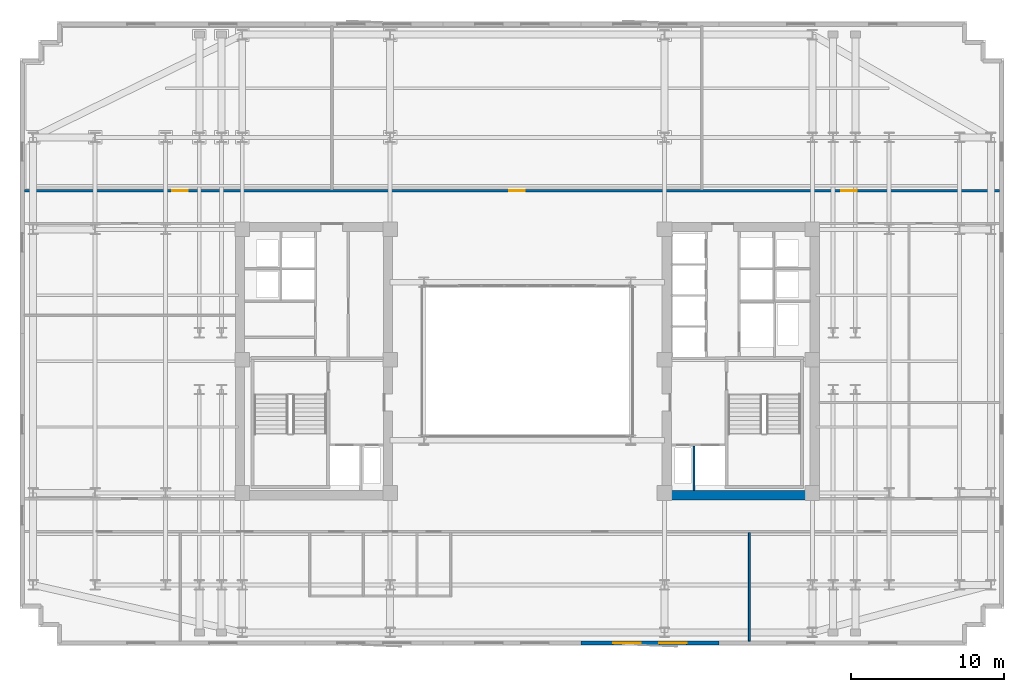
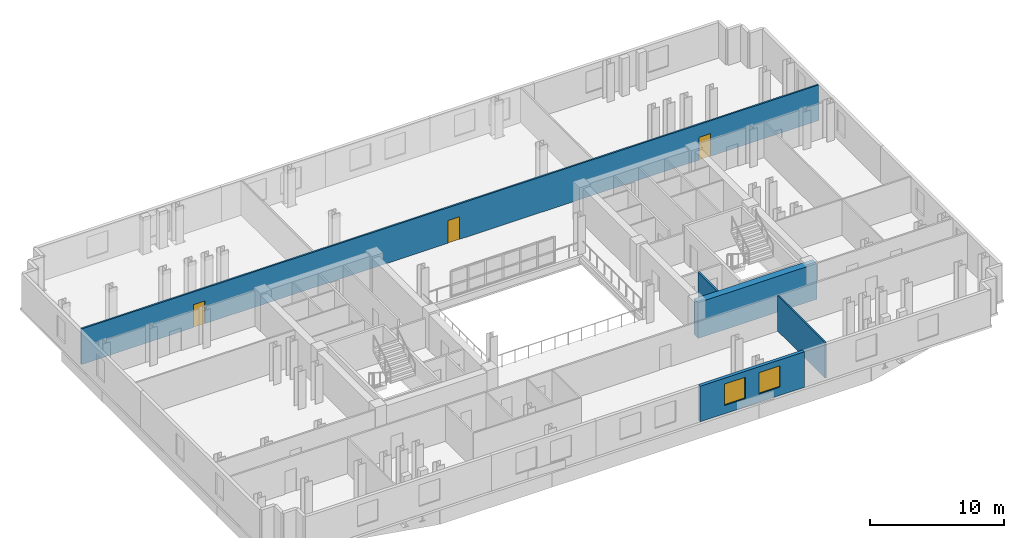
# One storey, part 8 of 12: 5 walls, 3 doors, 2 windows, 5 openings.
"""IFC4 building model written with IfcOpenShell, lengths in metres."""

from ifc_helpers import new_model, si_unit, direction, frame, frame_2d, origin, place, context, subcontext, project, spatial, rectangle, extrude, material, layer, layer_set, type_object, element, fill, save


model = new_model("IFC4")

# Units and contexts
model_context = context("Model", 3, precision=1e-05, world=origin(), true_north=direction((0.0, 1.0)))
body_context = subcontext(model_context, "Body", "Model", "MODEL_VIEW")
ifc_project = project(units=[si_unit("LENGTHUNIT", "METRE"), si_unit("AREAUNIT", "SQUARE_METRE"), si_unit("VOLUMEUNIT", "CUBIC_METRE"), si_unit("PLANEANGLEUNIT", "RADIAN"), si_unit("MASSUNIT", "GRAM", prefix="KILO")], contexts=[model_context])

# Site, building, storey
site_placement = place(None, origin())
site = spatial("IfcSite", under=ifc_project, at=site_placement, CompositionType="ELEMENT")
building_placement = place(site_placement, origin())
building = spatial("IfcBuilding", under=site, at=building_placement, Name="Velakula Bourse", CompositionType="ELEMENT")
storey_placement = place(building_placement, frame((0.0, 0.0, 120.85009765625)))
storey = spatial("IfcBuildingStorey", under=building, at=storey_placement, Name="L32", CompositionType="ELEMENT", Elevation=120.85009765625)

# Wall
ifc_material_1 = material(Name="Concrete M70 (fck 70 MPa)", Category="concrete")
ifc_layer_1 = layer(ifc_material_1, 0.60009765625, Name="Concrete M70 (fck 70 MPa)", Category="concrete")
ifc_layer_set_1 = layer_set([ifc_layer_1], Name="Concrete M70 (fck 70 MPa)")
wall_type_1 = type_object("IfcWallType", Name="WL-CORE-600", PredefinedType="SHEAR", material=ifc_layer_set_1)
wall_1_placement = place(storey_placement, frame((8.800048828125, -8.75, 0.0), z_axis=(0.0, 0.0, 1.0), x_axis=(1.0, 0.0, 0.0)))
element("IfcWall", 1, at=wall_1_placement, inside=storey, type_object=wall_type_1, Name="L32 Core E Shear Wall S", PredefinedType="SHEAR", context=body_context, shape_type="SweptSolid", body=[
    extrude(rectangle(XDim=10.25, YDim=0.60009765625, at=frame_2d((5.125, 0.0))), origin(), (0.0, 0.0, 1.0), 3.27001953125),
])

# Wall, openings, windows
ifc_material_2 = material(Name="Red kilned clay facing brick masonry", Category="masonry")
ifc_layer_2 = layer(ifc_material_2, 0.280029296875, Name="Red kilned clay facing brick masonry", Category="masonry")
ifc_layer_set_2 = layer_set([ifc_layer_2], Name="Red kilned clay facing brick masonry")
wall_type_2 = type_object("IfcWallType", Name="WL-EXT-BRK-280", PredefinedType="STANDARD", material=ifc_layer_set_2)
wall_2_placement = place(storey_placement, frame((12.5, -18.389892578125, 0.0), z_axis=(0.0, 0.0, 1.0), x_axis=(-1.0, 0.0, 0.0)))
wall_2 = element("IfcWall", 2, at=wall_2_placement, inside=storey, type_object=wall_type_2, Name="L32 S Brick Spandrel Wall B4", PredefinedType="STANDARD", context=body_context, shape_type="SweptSolid", body=[
    extrude(rectangle(XDim=9.0, YDim=0.280029296875, at=frame_2d((4.5, 0.0))), origin(), (0.0, 0.0, 1.0), 3.25),
])
opening_1_placement = place(wall_2_placement, frame((2.10009765625, 0.0, 0.760009765625)))
opening_1 = element("IfcOpeningElement", 3, at=opening_1_placement, cuts=wall_2, Name="Opening W-01", PredefinedType="OPENING", context=body_context, shape_type="SweptSolid", body=[
    extrude(rectangle(XDim=1.800048828125, YDim=1.949951171875, at=frame_2d((0.89990234375, 0.97509765625))), frame((0.0, 0.14990234375, 0.0), z_axis=(0.0, -1.0, 0.0), x_axis=(1.0, 0.0, 0.0)), (0.0, 0.0, 1.0), 0.300048828125),
])
opening_2_placement = place(wall_2_placement, frame((5.10009765625, 0.0, 0.760009765625)))
opening_2 = element("IfcOpeningElement", 4, at=opening_2_placement, cuts=wall_2, Name="Opening W-01", PredefinedType="OPENING", context=body_context, shape_type="SweptSolid", body=[
    extrude(rectangle(XDim=1.800048828125, YDim=1.949951171875, at=frame_2d((0.89990234375, 0.97509765625))), frame((0.0, 0.14990234375, 0.0), z_axis=(0.0, -1.0, 0.0), x_axis=(1.0, 0.0, 0.0)), (0.0, 0.0, 1.0), 0.300048828125),
])
ifc_material_3 = material(Name="Double-glazed solar-control Low-E glass", Category="glass")
window_type = type_object("IfcWindowType", Name="WIN-TWR-1800x2100", PartitioningType="SINGLE_PANEL", PredefinedType="WINDOW", material=ifc_material_3)
window_1_placement = place(opening_1_placement, origin())
window_1 = element("IfcWindow", 5, at=window_1_placement, inside=storey, type_object=window_type, Name="L32 Deep-Set Recessed Window 1", OverallHeight=1.949951171875, OverallWidth=1.800048828125, PartitioningType="SINGLE_PANEL", PredefinedType="WINDOW", context=body_context, shape_type="SweptSolid", body=[
    extrude(rectangle(XDim=1.800048828125, YDim=1.949951171875, at=frame_2d((0.89990234375, 0.97509765625))), frame((0.0, 0.030029296875, 0.0), z_axis=(0.0, -1.0, 0.0), x_axis=(1.0, 0.0, 0.0)), (0.0, 0.0, 1.0), 0.06005859375),
])
fill(opening_1, window_1)
window_2_placement = place(opening_2_placement, origin())
window_2 = element("IfcWindow", 6, at=window_2_placement, inside=storey, type_object=window_type, Name="L32 Deep-Set Recessed Window 2", OverallHeight=1.949951171875, OverallWidth=1.800048828125, PartitioningType="SINGLE_PANEL", PredefinedType="WINDOW", context=body_context, shape_type="SweptSolid", body=[
    extrude(rectangle(XDim=1.800048828125, YDim=1.949951171875, at=frame_2d((0.89990234375, 0.97509765625))), frame((0.0, 0.030029296875, 0.0), z_axis=(0.0, -1.0, 0.0), x_axis=(1.0, 0.0, 0.0)), (0.0, 0.0, 1.0), 0.06005859375),
])
fill(opening_2, window_2)

# Wall
ifc_material_4 = material(Name="Fire-rated double-layer gypsum drywall partition", Category="gypsum")
ifc_layer_3 = layer(ifc_material_4, 0.1201171875, Name="Fire-rated double-layer gypsum drywall partition", Category="gypsum")
ifc_layer_set_3 = layer_set([ifc_layer_3], Name="Fire-rated double-layer gypsum drywall partition")
wall_type_3 = type_object("IfcWallType", Name="WL-PART-120", PredefinedType="STANDARD", material=ifc_layer_set_3)
wall_3_placement = place(storey_placement, frame((14.489013671875, -18.27001953125, 0.0), z_axis=(0.0, 0.0, 1.0), x_axis=(0.0, 1.0, 0.0)))
element("IfcWall", 7, at=wall_3_placement, inside=storey, type_object=wall_type_3, Name="L32 Interior Partition WL-INT-L32-SR-D6", PredefinedType="STANDARD", context=body_context, shape_type="SweptSolid", body=[
    extrude(rectangle(XDim=7.080078125, YDim=0.1201171875, at=frame_2d((3.5400390625, 0.0))), origin(), (0.0, 0.0, 1.0), 3.25),
])

# Wall, openings, doors
ifc_layer_4 = layer(ifc_material_4, 0.139892578125, Name="Fire-rated double-layer gypsum drywall partition", Category="gypsum")
ifc_layer_set_4 = layer_set([ifc_layer_4], Name="Fire-rated double-layer gypsum drywall partition")
wall_type_4 = type_object("IfcWallType", Name="WL-PART-140", PredefinedType="STANDARD", material=ifc_layer_set_4)
wall_4_placement = place(storey_placement, frame((-32.820068359375, 11.1201171875, 0.0), z_axis=(0.0, 0.0, 1.0), x_axis=(1.0, 0.0, 0.0)))
wall_4 = element("IfcWall", 8, at=wall_4_placement, inside=storey, type_object=wall_type_4, Name="L32 Interior Partition WL-INT-L32-N-CORR", PredefinedType="STANDARD", context=body_context, shape_type="SweptSolid", body=[
    extrude(rectangle(XDim=63.64013671875, YDim=0.139892578125, at=frame_2d((31.820068359375, 0.0))), origin(), (0.0, 0.0, 1.0), 3.25),
])
opening_3_placement = place(wall_4_placement, frame((9.660400390625, 0.0, 0.0)))
opening_3 = element("IfcOpeningElement", 9, at=opening_3_placement, cuts=wall_4, Name="Opening D-OF1", PredefinedType="OPENING", context=body_context, shape_type="SweptSolid", body=[
    extrude(rectangle(XDim=1.0, YDim=2.080078125, at=frame_2d((0.5, 1.0400390625))), frame((0.0, 0.079833984375, 0.0), z_axis=(0.0, -1.0, 0.0), x_axis=(1.0, 0.0, 0.0)), (0.0, 0.0, 1.0), 0.159912109375),
])
opening_4_placement = place(wall_4_placement, frame((31.637451171875, 0.0, 0.0)))
opening_4 = element("IfcOpeningElement", 10, at=opening_4_placement, cuts=wall_4, Name="Opening D-OF1", PredefinedType="OPENING", context=body_context, shape_type="SweptSolid", body=[
    extrude(rectangle(XDim=1.0, YDim=2.080078125, at=frame_2d((0.5, 1.0400390625))), frame((0.0, 0.079833984375, 0.0), z_axis=(0.0, -1.0, 0.0), x_axis=(1.0, 0.0, 0.0)), (0.0, 0.0, 1.0), 0.159912109375),
])
opening_5_placement = place(wall_4_placement, frame((53.297119140625, 0.0, 0.0)))
opening_5 = element("IfcOpeningElement", 11, at=opening_5_placement, cuts=wall_4, Name="Opening D-OF1", PredefinedType="OPENING", context=body_context, shape_type="SweptSolid", body=[
    extrude(rectangle(XDim=1.0, YDim=2.080078125, at=frame_2d((0.5, 1.0400390625))), frame((0.0, 0.079833984375, 0.0), z_axis=(0.0, -1.0, 0.0), x_axis=(1.0, 0.0, 0.0)), (0.0, 0.0, 1.0), 0.159912109375),
])
ifc_material_5 = material(Name="Fire-rated hardwood flush architectural door", Category="wood")
door_type = type_object("IfcDoorType", Name="DR-OFF-1000", OperationType="NOTDEFINED", PredefinedType="DOOR", material=ifc_material_5)
door_1_placement = place(opening_3_placement, origin())
door_1 = element("IfcDoor", 12, at=door_1_placement, inside=storey, type_object=door_type, Name="L32 Prime-Brokerage Dealing Workspace Door", OperationType="SINGLE_SWING_LEFT", OverallHeight=2.080078125, OverallWidth=1.0, PredefinedType="DOOR", context=body_context, shape_type="SweptSolid", body=[
    extrude(rectangle(XDim=1.0, YDim=2.080078125, at=frame_2d((0.5, 1.0400390625))), frame((0.0, 0.02490234375, 0.0), z_axis=(0.0, -1.0, 0.0), x_axis=(1.0, 0.0, 0.0)), (0.0, 0.0, 1.0), 0.050048828125),
])
fill(opening_3, door_1)
door_2_placement = place(opening_4_placement, origin())
door_2 = element("IfcDoor", 13, at=door_2_placement, inside=storey, type_object=door_type, Name="L32 Training Classroom Door", OperationType="SINGLE_SWING_RIGHT", OverallHeight=2.080078125, OverallWidth=1.0, PredefinedType="DOOR", context=body_context, shape_type="SweptSolid", body=[
    extrude(rectangle(XDim=1.0, YDim=2.080078125, at=frame_2d((0.5, 1.0400390625))), frame((0.0, 0.02490234375, 0.0), z_axis=(0.0, -1.0, 0.0), x_axis=(1.0, 0.0, 0.0)), (0.0, 0.0, 1.0), 0.050048828125),
])
fill(opening_4, door_2)
door_3_placement = place(opening_5_placement, origin())
door_3 = element("IfcDoor", 14, at=door_3_placement, inside=storey, type_object=door_type, Name="L32 Tea Room Kitchenette Door", OperationType="SINGLE_SWING_LEFT", OverallHeight=2.080078125, OverallWidth=1.0, PredefinedType="DOOR", context=body_context, shape_type="SweptSolid", body=[
    extrude(rectangle(XDim=1.0, YDim=2.080078125, at=frame_2d((0.5, 1.0400390625))), frame((0.0, 0.02490234375, 0.0), z_axis=(0.0, -1.0, 0.0), x_axis=(1.0, 0.0, 0.0)), (0.0, 0.0, 1.0), 0.050048828125),
])
fill(opening_5, door_3)

# Wall
ifc_material_6 = material(Name="Autoclaved aerated concrete blockwork masonry", Category="masonry")
ifc_layer_5 = layer(ifc_material_6, 0.14990234375, Name="Autoclaved aerated concrete blockwork masonry", Category="masonry")
ifc_layer_set_5 = layer_set([ifc_layer_5], Name="Autoclaved aerated concrete blockwork masonry")
wall_type_5 = type_object("IfcWallType", Name="WL-SHAFT-150", PredefinedType="STANDARD", material=ifc_layer_set_5)
wall_5_placement = place(storey_placement, frame((10.875, -8.449951171875, 0.0), z_axis=(0.0, 0.0, 1.0), x_axis=(0.0, 1.0, 0.0)))
element("IfcWall", 15, at=wall_5_placement, inside=storey, type_object=wall_type_5, Name="L32 Interior Partition WL-CRE-L32-FR-DIV", PredefinedType="STANDARD", context=body_context, shape_type="SweptSolid", body=[
    extrude(rectangle(XDim=2.89990234375, YDim=0.14990234375, at=frame_2d((1.449951171875, 0.0))), origin(), (0.0, 0.0, 1.0), 3.25),
])

save(model, "model.ifc")
